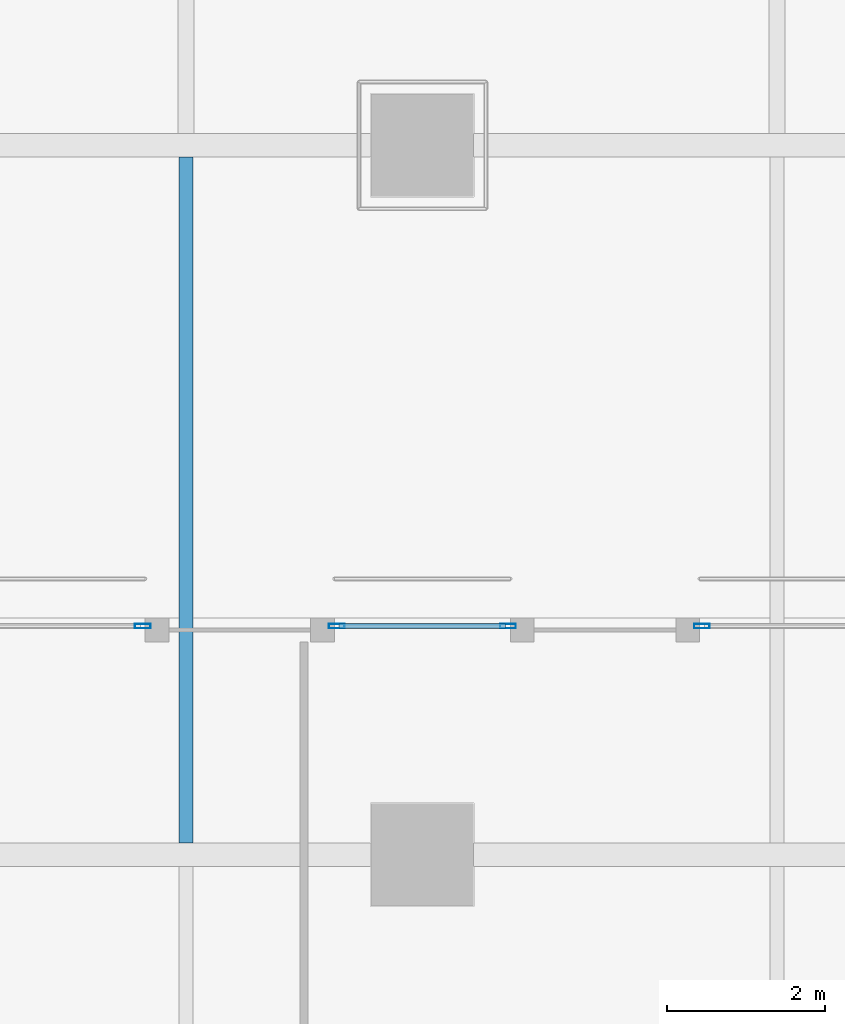
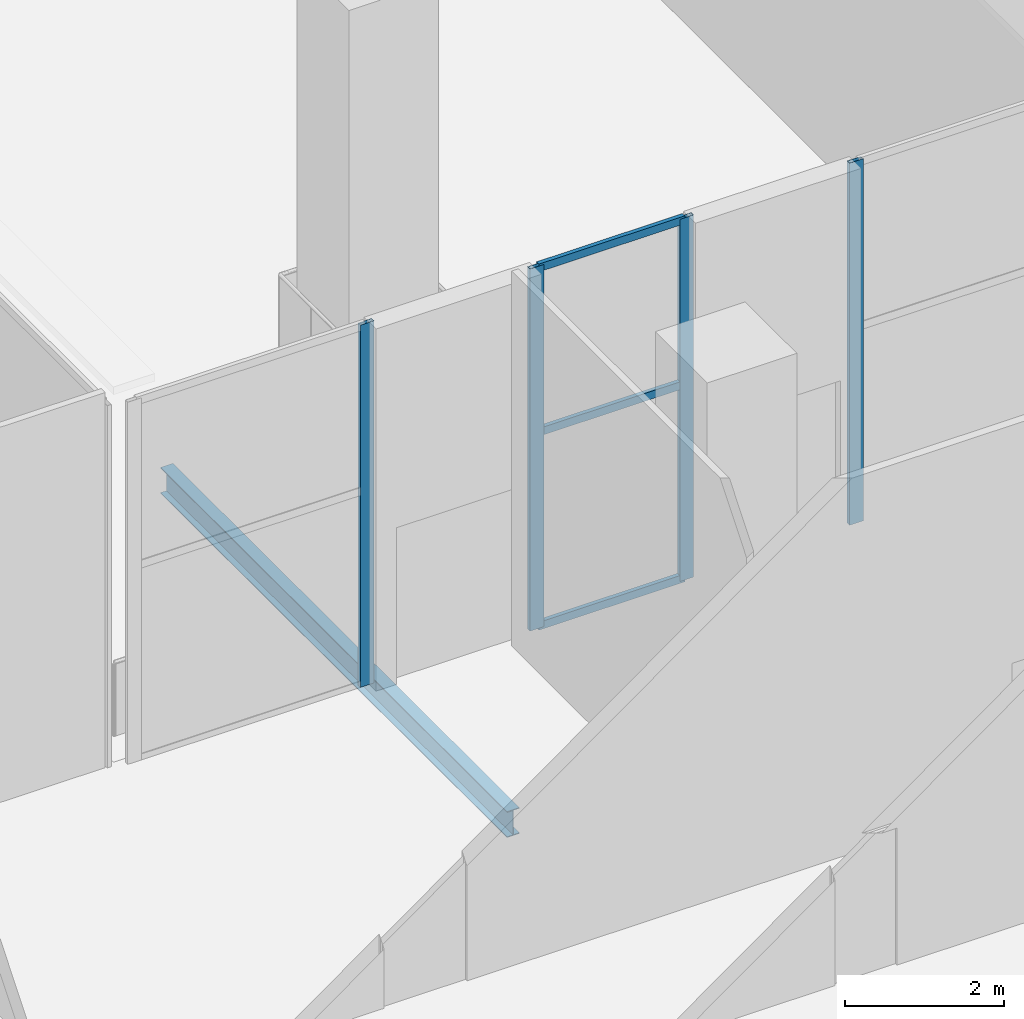
# One storey, part 24 of 47: 7 members, 1 beam, 3 elements without a shape of their own.
"""IFC4 building model written with IfcOpenShell, lengths in metres."""

from ifc_helpers import new_model, si_unit, direction, frame, origin, origin_2d, place, context, subcontext, project, spatial, hollow_rectangle, i_section, extrude, source, transform, mapped, material, material_profile, profile_set, type_object, element, aggregate, save


model = new_model("IFC4")

# Units and contexts
model_context = context("Model", 3, precision=1e-05, world=origin(), true_north=direction((0.0, 1.0)))
body_context = subcontext(model_context, "Body", "Model", "MODEL_VIEW")
ifc_project = project(units=[si_unit("LENGTHUNIT", "METRE"), si_unit("AREAUNIT", "SQUARE_METRE"), si_unit("VOLUMEUNIT", "CUBIC_METRE"), si_unit("PLANEANGLEUNIT", "RADIAN"), si_unit("MASSUNIT", "GRAM", prefix="KILO")], contexts=[model_context])

# Site, building, storey
site_placement = place(None, origin())
site = spatial("IfcSite", under=ifc_project, at=site_placement, CompositionType="ELEMENT")
building_placement = place(site_placement, origin())
building = spatial("IfcBuilding", under=site, at=building_placement, Name="Khomas Fold Tower", CompositionType="ELEMENT")
storey_placement = place(building_placement, frame((0.0, 0.0, 158.699951171875)))
storey = spatial("IfcBuildingStorey", under=building, at=storey_placement, Name="L34", CompositionType="ELEMENT", Elevation=158.699951171875)

# Beam
ifc_material_1 = material(Name="Steel S355", Category="steel")
ifc_material_profile_1 = material_profile(ifc_material_1, i_section(OverallWidth=0.179931640625, OverallDepth=0.39990234375, WebThickness=0.008544921875, FlangeThickness=0.013427734375, at=origin_2d()), Name="IPE 400")
ifc_profile_set_1 = profile_set([ifc_material_profile_1], Name="Steel S355")
beam_type = type_object("IfcBeamType", Name="IPE 400 beam JB3", PredefinedType="BEAM", material=ifc_profile_set_1)
shared_shape_1 = source(origin(), body_context, "Body", "SweptSolid", [
    extrude(i_section(OverallWidth=0.179931640625, OverallDepth=0.39990234375, WebThickness=0.008544921875, FlangeThickness=0.013427734375, at=origin_2d()), origin(), (0.0, 0.0, 1.0), 8.7001953125),
])
beam_placement = place(storey_placement, frame((34.5, 31.64990234375, -0.64990234375), z_axis=(0.0, 1.0, 0.0), x_axis=(-1.0, 0.0, 0.0)))
element("IfcBeam", 1, at=beam_placement, inside=storey, type_object=beam_type, Name="JB3", PredefinedType="BEAM", context=body_context, shape_type="MappedRepresentation", body=[
    mapped(shared_shape_1, transform((0.0, 0.0, 0.0))),
])

# Curtain wall, member
ifc_material_2 = material(Name="Aluminium framed double glazing", Category="aluminium")
curtain_wall_type = type_object("IfcCurtainWallType", Name="Notch glazing GN-CW", PredefinedType="NOTDEFINED", material=ifc_material_2)
curtain_wall_1_placement = place(storey_placement, origin())
curtain_wall_1 = element("IfcCurtainWall", 2, at=curtain_wall_1_placement, inside=storey, type_object=curtain_wall_type, Name="Notch glazing run", PredefinedType="NOTDEFINED")
ifc_material_3 = material(Name="Aluminium", Category="aluminium")
ifc_material_profile_2 = material_profile(ifc_material_3, hollow_rectangle(XDim=0.06005859375, YDim=0.199951171875, WallThickness=0.00390625, at=origin_2d()), Name="Notch glazing mullion GN-CW-M")
ifc_profile_set_2 = profile_set([ifc_material_profile_2], Name="Aluminium")
member_type_1 = type_object("IfcMemberType", Name="Notch glazing mullion GN-CW-M", PredefinedType="MULLION", material=ifc_profile_set_2)
shared_shape_2 = source(origin(), body_context, "Body", "SweptSolid", [
    extrude(hollow_rectangle(XDim=0.06005859375, YDim=0.199951171875, WallThickness=0.00390625, at=origin_2d()), origin(), (0.0, 0.0, 1.0), 5.550048828125),
])
member_1_placement = place(storey_placement, frame((41.046630859375, 34.39990234375, 0.0), z_axis=(0.0, 0.0, 1.0), x_axis=(0.0, -1.0, 0.0)))
member_1 = element("IfcMember", 3, at=member_1_placement, type_object=member_type_1, Name="GN-CW mullion 2", PredefinedType="MULLION", context=body_context, shape_type="MappedRepresentation", body=[
    mapped(shared_shape_2, transform((0.0, 0.0, 0.0))),
])
aggregate(curtain_wall_1, [member_1])

# Curtain wall, members
curtain_wall_2_placement = place(storey_placement, origin())
curtain_wall_2 = element("IfcCurtainWall", 4, at=curtain_wall_2_placement, inside=storey, type_object=curtain_wall_type, Name="Notch glazing run", PredefinedType="NOTDEFINED")
member_2_placement = place(storey_placement, frame((38.586669921875, 34.39990234375, 0.0), z_axis=(0.0, 0.0, 1.0), x_axis=(0.0, -1.0, 0.0)))
member_2 = element("IfcMember", 5, at=member_2_placement, type_object=member_type_1, Name="GN-CW mullion 1", PredefinedType="MULLION", context=body_context, shape_type="MappedRepresentation", body=[
    mapped(shared_shape_2, transform((0.0, 0.0, 0.0))),
])
member_3_placement = place(storey_placement, frame((36.413330078125, 34.39990234375, 0.0), z_axis=(0.0, 0.0, 1.0), x_axis=(0.0, -1.0, 0.0)))
member_3 = element("IfcMember", 6, at=member_3_placement, type_object=member_type_1, Name="GN-CW mullion 2", PredefinedType="MULLION", context=body_context, shape_type="MappedRepresentation", body=[
    mapped(shared_shape_2, transform((0.0, 0.0, 0.0))),
])

# Curtain wall, member
curtain_wall_3_placement = place(storey_placement, origin())
curtain_wall_3 = element("IfcCurtainWall", 7, at=curtain_wall_3_placement, inside=storey, type_object=curtain_wall_type, Name="Notch glazing run", PredefinedType="NOTDEFINED")
member_4_placement = place(storey_placement, frame((33.953369140625, 34.39990234375, 0.0), z_axis=(0.0, 0.0, 1.0), x_axis=(0.0, -1.0, 0.0)))
member_4 = element("IfcMember", 8, at=member_4_placement, type_object=member_type_1, Name="GN-CW mullion 1", PredefinedType="MULLION", context=body_context, shape_type="MappedRepresentation", body=[
    mapped(shared_shape_2, transform((0.0, 0.0, 0.0))),
])
aggregate(curtain_wall_3, [member_4])

# Member
ifc_material_4 = material(Name="Aluminium", Category="aluminium")
ifc_material_profile_3 = material_profile(ifc_material_4, hollow_rectangle(XDim=0.06005859375, YDim=0.1201171875, WallThickness=0.00390625, at=origin_2d()), Name="Notch glazing transom GN-CW-T")
ifc_profile_set_3 = profile_set([ifc_material_profile_3], Name="Aluminium")
member_type_2 = type_object("IfcMemberType", Name="Notch glazing transom GN-CW-T", PredefinedType="USERDEFINED", material=ifc_profile_set_3)
shared_shape_3 = source(origin(), body_context, "Body", "SweptSolid", [
    extrude(hollow_rectangle(XDim=0.06005859375, YDim=0.1201171875, WallThickness=0.00390625, at=origin_2d()), origin(), (0.0, 0.0, 1.0), 2.11328125),
])
member_5_placement = place(storey_placement, frame((38.556640625, 34.39990234375, 0.030029296875), z_axis=(-1.0, 0.0, 0.0), x_axis=(0.0, -1.0, 0.0)))
member_5 = element("IfcMember", 9, at=member_5_placement, type_object=member_type_2, Name="GN-CW transom 1.1", ObjectType="TRANSOM", PredefinedType="USERDEFINED", context=body_context, shape_type="MappedRepresentation", body=[
    mapped(shared_shape_3, transform((0.0, 0.0, 0.0))),
])

member_6_placement = place(storey_placement, frame((38.556640625, 34.39990234375, 3.0), z_axis=(-1.0, 0.0, 0.0), x_axis=(0.0, -1.0, 0.0)))
member_6 = element("IfcMember", 10, at=member_6_placement, type_object=member_type_2, Name="GN-CW transom 1.2", ObjectType="TRANSOM", PredefinedType="USERDEFINED", context=body_context, shape_type="MappedRepresentation", body=[
    mapped(shared_shape_3, transform((0.0, 0.0, 0.0))),
])

member_7_placement = place(storey_placement, frame((38.556640625, 34.39990234375, 5.52001953125), z_axis=(-1.0, 0.0, 0.0), x_axis=(0.0, -1.0, 0.0)))
member_7 = element("IfcMember", 11, at=member_7_placement, type_object=member_type_2, Name="GN-CW transom 1.3", ObjectType="TRANSOM", PredefinedType="USERDEFINED", context=body_context, shape_type="MappedRepresentation", body=[
    mapped(shared_shape_3, transform((0.0, 0.0, 0.0))),
])

aggregate(curtain_wall_2, [member_2, member_3, member_5, member_6, member_7])

save(model, "model.ifc")
